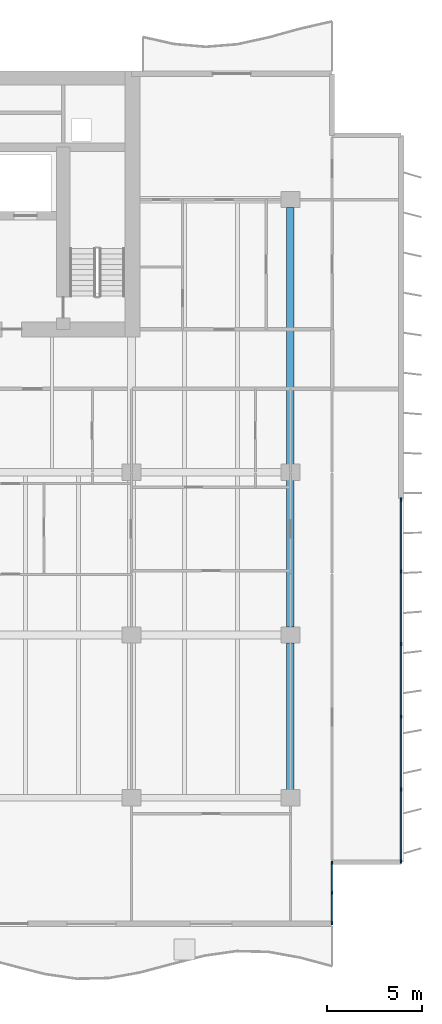
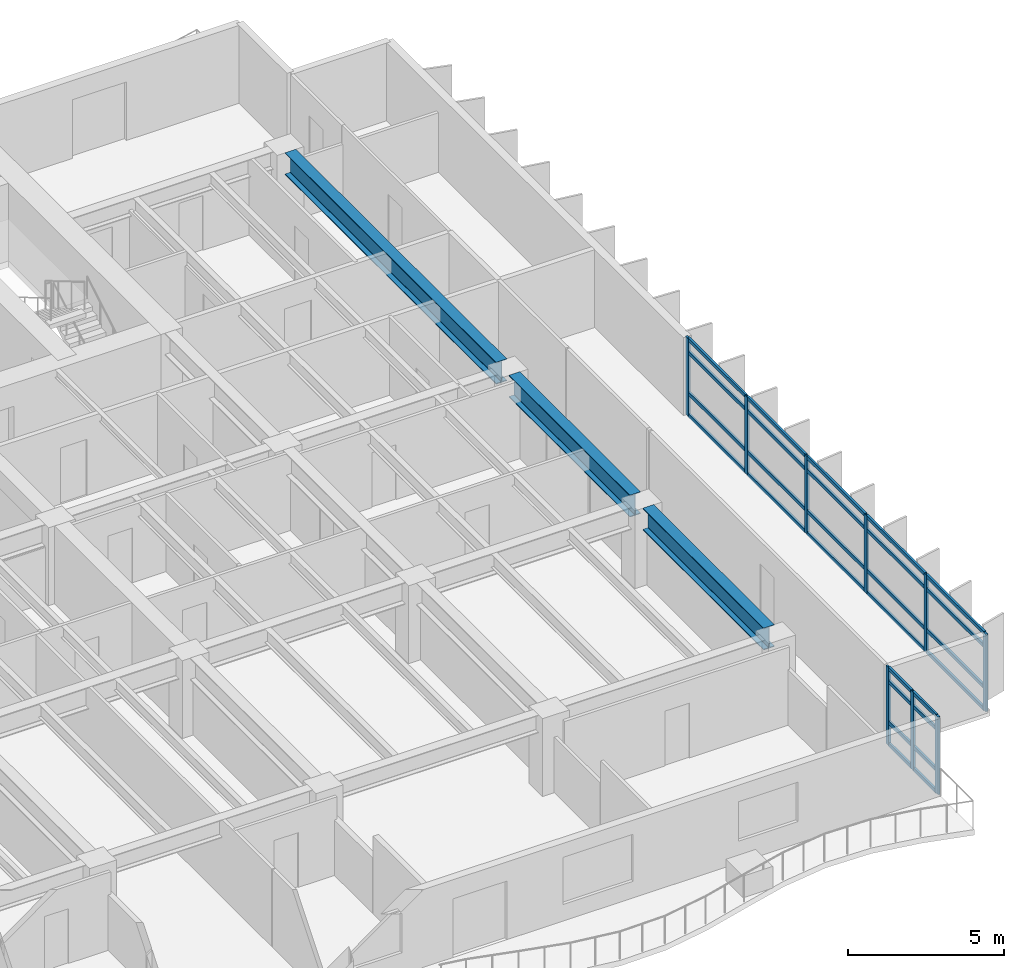
# One storey, part 4 of 19: 37 members, 3 beams, 2 elements without a shape of their own.
"""IFC4 building model written with IfcOpenShell, lengths in metres."""

import ifcopenshell
import ifcopenshell.guid

model = None  # the IFC model being written
_history = None  # IfcOwnerHistory: only IFC2X3 demands one
_inside = {}  # id of a spatial element -> (the spatial element, [elements in it])
_under = {}  # id of a project, library or spatial element -> (it, [spatial elements below it])
_declared = {}  # id of a project -> (the project, [libraries it declares])
_typed = {}  # id of a type object -> (the type object, [elements of that type])
_made_of = {}  # id of a material, layer set ... -> (it, [elements and type objects made of it])


def new_model(schema):
    """Start an empty IFC model of exactly this schema.

    Asked for "IFC4X3", IfcOpenShell would pick the latest addendum, in which some entities
    have other attributes; the version numbers below select the first issue.
    IFC2X3 requires an IfcOwnerHistory on every rooted entity: one is made here for all.
    """
    global model, _history
    if schema == "IFC4X3":
        model = ifcopenshell.file(schema_version=(4, 3, 0, 0))
    else:
        model = ifcopenshell.file(schema=schema)
    _inside.clear()
    _under.clear()
    _declared.clear()
    _typed.clear()
    _made_of.clear()
    _history = None
    if model.schema == "IFC2X3":
        org = make("IfcOrganization", Name="unknown")
        user = make(
            "IfcPersonAndOrganization",
            ThePerson=make("IfcPerson", FamilyName="unknown"),
            TheOrganization=org,
        )
        app = make(
            "IfcApplication",
            ApplicationDeveloper=org,
            Version="unknown",
            ApplicationFullName="unknown",
            ApplicationIdentifier="unknown",
        )
        _history = make(
            "IfcOwnerHistory",
            OwningUser=user,
            OwningApplication=app,
            ChangeAction="ADDED",
            CreationDate=0,
        )
    return model


def make(cls, **values):
    """One entity of the class cls with the attributes given. An attribute that is None is left unset."""
    return model.create_entity(
        cls, **{name: value for name, value in values.items() if value is not None}
    )


def rooted(cls, **values):
    """An entity with a GlobalId (a new one), such as an element, a storey or a relation."""
    return make(cls, GlobalId=ifcopenshell.guid.new(), OwnerHistory=_history, **values)


def si_unit(unit_type, name, prefix=None):
    """IfcSIUnit, for example si_unit("LENGTHUNIT", "METRE", prefix="MILLI")."""
    return make("IfcSIUnit", UnitType=unit_type, Prefix=prefix, Name=name)


def assignment(units):
    """IfcUnitAssignment: the units of a project."""
    return None if units is None else make("IfcUnitAssignment", Units=units)


def point(xyz):
    """IfcCartesianPoint."""
    return None if xyz is None else make("IfcCartesianPoint", Coordinates=xyz)


def direction(xyz):
    """IfcDirection."""
    return None if xyz is None else make("IfcDirection", DirectionRatios=xyz)


def frame(location, z_axis=None, x_axis=None):
    """IfcAxis2Placement3D, a coordinate frame: its origin and axes. An axis left out is left unset."""
    return make(
        "IfcAxis2Placement3D",
        Location=point(location),
        Axis=direction(z_axis),
        RefDirection=direction(x_axis),
    )


def frame_2d(location, x_axis=None):
    """IfcAxis2Placement2D, a coordinate frame in the plane: its origin and x axis."""
    return make(
        "IfcAxis2Placement2D", Location=point(location), RefDirection=direction(x_axis)
    )


def origin():
    """The frame at (0, 0, 0) with its axes left unset."""
    return frame((0.0, 0.0, 0.0))


def origin_2d():
    """The frame at (0, 0) in the plane with its x axis left unset."""
    return frame_2d((0.0, 0.0))


def place(relative_to, where):
    """IfcLocalPlacement: puts the frame where relative to a parent placement (None: the world)."""
    return make(
        "IfcLocalPlacement", PlacementRelTo=relative_to, RelativePlacement=where
    )


def context(
    kind, dimensions, precision=None, world=None, true_north=None, identifier=None
):
    """IfcGeometricRepresentationContext, for example the 3D "Model" context."""
    return make(
        "IfcGeometricRepresentationContext",
        ContextIdentifier=identifier,
        ContextType=kind,
        CoordinateSpaceDimension=dimensions,
        Precision=precision,
        WorldCoordinateSystem=world,
        TrueNorth=true_north,
    )


def subcontext(parent, identifier, kind, view, scale=None):
    """IfcGeometricRepresentationSubContext, for example "Body" below "Model"."""
    return make(
        "IfcGeometricRepresentationSubContext",
        ContextIdentifier=identifier,
        ContextType=kind,
        ParentContext=parent,
        TargetScale=scale,
        TargetView=view,
    )


def project(units=None, contexts=None):
    """IfcProject with its units and contexts."""
    return rooted(
        "IfcProject",
        Name="project",
        RepresentationContexts=contexts,
        UnitsInContext=assignment(units),
    )


def spatial(cls, under=None, at=None, **own):
    """A site, building, storey or space (cls), placed at a placement, below another one or the project."""
    s = rooted(cls, ObjectPlacement=at, **own)
    if under is not None:
        _under.setdefault(under.id(), (under, []))[1].append(s)
    return s


def profile(cls, at=None, kind="AREA", **sizes):
    """A parametric profile (cls). Its sizes go by their IFC names, for example OverallWidth=200.0."""
    return make(cls, ProfileType=kind, Position=at, **sizes)


def rectangle(**sizes):
    """IfcRectangleProfileDef."""
    return profile("IfcRectangleProfileDef", **sizes)


def i_section(**sizes):
    """IfcIShapeProfileDef."""
    return profile("IfcIShapeProfileDef", **sizes)


def extrude(swept, where, along, depth):
    """IfcExtrudedAreaSolid: the profile swept, set in the frame where, extruded along a direction by depth."""
    return make(
        "IfcExtrudedAreaSolid",
        SweptArea=swept,
        Position=where,
        ExtrudedDirection=direction(along),
        Depth=depth,
    )


def shape(context_of_items, identifier, shape_type, items):
    """IfcShapeRepresentation: the items that make up one representation, for example the "Body"."""
    return make(
        "IfcShapeRepresentation",
        ContextOfItems=context_of_items,
        RepresentationIdentifier=identifier,
        RepresentationType=shape_type,
        Items=items,
    )


def material(Name=None, Category=None):
    """IfcMaterial."""
    return make("IfcMaterial", Name=Name, Category=Category)


def layer(
    of_material, thickness, ventilated=None, Name=None, Category=None, Priority=None
):
    """IfcMaterialLayer: one layer of a wall or slab, of a material (None: an air gap)."""
    return make(
        "IfcMaterialLayer",
        Material=of_material,
        LayerThickness=thickness,
        IsVentilated=ventilated,
        Name=Name,
        Category=Category,
        Priority=Priority,
    )


def layer_set(layers, Name=None):
    """IfcMaterialLayerSet."""
    return make("IfcMaterialLayerSet", MaterialLayers=layers, LayerSetName=Name)


def material_profile(
    of_material, cross_section, Name=None, Category=None, Priority=None
):
    """IfcMaterialProfile: a cross section and its material."""
    return make(
        "IfcMaterialProfile",
        Name=Name,
        Material=of_material,
        Profile=cross_section,
        Priority=Priority,
        Category=Category,
    )


def profile_set(profiles, Name=None, composite=None):
    """IfcMaterialProfileSet."""
    return make(
        "IfcMaterialProfileSet",
        Name=Name,
        MaterialProfiles=profiles,
        CompositeProfile=composite,
    )


def made_of(thing, what):
    """Note that an element or type object is made of a material, layer set ...; save() writes the relation."""
    if what is not None:
        _made_of.setdefault(what.id(), (what, []))[1].append(thing)
    return thing


def type_object(cls, material=None, **own):
    """A type object (cls), such as IfcWallType, which elements share."""
    return made_of(rooted(cls, **own), material)


def element(
    cls,
    number,
    at=None,
    inside=None,
    cuts=None,
    type_object=None,
    material=None,
    context=None,
    identifier="Body",
    shape_type=None,
    held_by="IfcProductDefinitionShape",
    body=None,
    shapes=None,
    **own,
):
    """One element of the class cls, such as IfcWall. Its Tag is "e" and its number.

    at: its placement. inside: the storey or other place that contains it. cuts: it is an
    opening in that element (IfcRelVoidsElement). A single representation is given by context,
    identifier, shape_type and body (its items); several are given by shapes. held_by: the class
    of the entity that holds the representations. save() writes the other relations.
    """
    e = rooted(cls, Tag="e%d" % number, ObjectPlacement=at, **own)
    if body is not None:
        shapes = [shape(context, identifier, shape_type, body)]
    if shapes is not None:
        e.Representation = make(held_by, Representations=shapes)
    if inside is not None:
        _inside.setdefault(inside.id(), (inside, []))[1].append(e)
    if cuts is not None:
        rooted(
            "IfcRelVoidsElement", RelatingBuildingElement=cuts, RelatedOpeningElement=e
        )
    if type_object is not None:
        _typed.setdefault(type_object.id(), (type_object, []))[1].append(e)
    return made_of(e, material)


def aggregate(whole, parts):
    """IfcRelAggregates: a whole, such as a stair, and the parts it consists of."""
    return rooted("IfcRelAggregates", RelatingObject=whole, RelatedObjects=parts)


def save(model, path):
    """Write the relations noted so far, then the file.

    IfcRelAggregates (storeys below a building ...), IfcRelContainedInSpatialStructure (elements
    in a storey), IfcRelDefinesByType, IfcRelAssociatesMaterial and IfcRelDeclares: one each for
    every whole, place, type object, material and project.
    """
    for whole, parts in _under.values():
        aggregate(whole, parts)
    for where, things in _inside.values():
        rooted(
            "IfcRelContainedInSpatialStructure",
            RelatedElements=things,
            RelatingStructure=where,
        )
    for kind, things in _typed.values():
        rooted("IfcRelDefinesByType", RelatedObjects=things, RelatingType=kind)
    for what, things in _made_of.values():
        rooted("IfcRelAssociatesMaterial", RelatedObjects=things, RelatingMaterial=what)
    for by, libraries in _declared.values():
        rooted("IfcRelDeclares", RelatingContext=by, RelatedDefinitions=libraries)
    model.write(path)


model = new_model("IFC4")

# Units and contexts
model_context = context("Model", 3, precision=1e-05, world=origin(), true_north=direction((0.0, 1.0)))
body_context = subcontext(model_context, "Body", "Model", "MODEL_VIEW")
ifc_project = project(units=[si_unit("LENGTHUNIT", "METRE"), si_unit("AREAUNIT", "SQUARE_METRE"), si_unit("VOLUMEUNIT", "CUBIC_METRE"), si_unit("PLANEANGLEUNIT", "RADIAN"), si_unit("MASSUNIT", "GRAM", prefix="KILO")], contexts=[model_context])

# Site, building, storey
site_placement = place(None, origin())
site = spatial("IfcSite", under=ifc_project, at=site_placement, CompositionType="ELEMENT")
building_placement = place(site_placement, origin())
building = spatial("IfcBuilding", under=site, at=building_placement, Name="Caelmar Bay Residences", CompositionType="ELEMENT")
storey_placement = place(building_placement, frame((0.0, 0.0, 91.199951171875)))
storey = spatial("IfcBuildingStorey", under=building, at=storey_placement, Name="L24", CompositionType="ELEMENT", Elevation=91.199951171875)

# Beams
ifc_material_1 = material(Name="Steel ASTM A992 Grade 50", Category="steel")
ifc_material_profile_1 = material_profile(ifc_material_1, i_section(OverallWidth=0.40087890625, OverallDepth=0.861083984375, WebThickness=0.019775390625, FlangeThickness=0.032470703125, FilletRadius=0.017822265625, at=origin_2d()), Name="W33X221")
ifc_profile_set_1 = profile_set([ifc_material_profile_1], Name="Steel ASTM A992 Grade 50")
beam_type = type_object("IfcBeamType", Name="BM-GRD-W33X221", PredefinedType="BEAM", material=ifc_profile_set_1)
for number, where, z_axis, x_axis, name in (
    (1, (67.89990234375, 12.614990234375, 2.61962890625), (0.0, 1.0, 0.0), (-1.0, 0.0, 0.0), "L24 North-South Girder X=67.90 (12.2-20.8)"),
    (2, (67.89990234375, 21.215087890625, 2.61962890625), (0.0, 1.0, 0.0), (-1.0, 0.0, 0.0), "L24 North-South Girder X=67.90 (20.8-29.4)"),
):
    element("IfcBeam", number, at=place(storey_placement, frame(where, z_axis=z_axis, x_axis=x_axis)), inside=storey, type_object=beam_type, Name=name, PredefinedType="BEAM", context=body_context, shape_type="SweptSolid", body=[
        extrude(i_section(OverallWidth=0.40087890625, OverallDepth=0.861083984375, WebThickness=0.019775390625, FlangeThickness=0.032470703125, FilletRadius=0.017822265625, at=origin_2d()), origin(), (0.0, 0.0, 1.0), 7.77001953125),
    ])
beam_placement = place(storey_placement, frame((67.89990234375, 29.81494140625, 2.61962890625), z_axis=(0.0, 1.0, 0.0), x_axis=(-1.0, 0.0, 0.0)))
element("IfcBeam", 3, at=beam_placement, inside=storey, type_object=beam_type, Name="L24 North-South Girder X=67.90 (29.4-43.8)", PredefinedType="BEAM", context=body_context, shape_type="SweptSolid", body=[
    extrude(i_section(OverallWidth=0.40087890625, OverallDepth=0.861083984375, WebThickness=0.019775390625, FlangeThickness=0.032470703125, FilletRadius=0.017822265625, at=origin_2d()), origin(), (0.0, 0.0, 1.0), 13.570068359375),
])

# Curtain wall, members
ifc_material_2 = material(Name="Anodised bronze aluminium 6063-T6 and laminated glass", Category="aluminium")
ifc_layer_1 = layer(ifc_material_2, 0.179931640625)
ifc_layer_set_1 = layer_set([ifc_layer_1], Name="Anodised bronze aluminium 6063-T6 and laminated glass")
curtain_wall_type_1 = type_object("IfcCurtainWallType", Name="CW6-NTC", PredefinedType="NOTDEFINED", material=ifc_layer_set_1)
curtain_wall_1_placement = place(storey_placement, origin())
curtain_wall_1 = element("IfcCurtainWall", 4, at=curtain_wall_1_placement, inside=storey, type_object=curtain_wall_type_1, Name="CW6 curtain wall L24", PredefinedType="NOTDEFINED")
ifc_material_3 = material(Name="Anodised bronze aluminium 6063-T6", Category="aluminium")
ifc_material_profile_2 = material_profile(ifc_material_3, rectangle(XDim=0.080078125, YDim=0.179931640625, at=origin_2d()), Name="CWM-80X180")
ifc_profile_set_2 = profile_set([ifc_material_profile_2], Name="Anodised bronze aluminium 6063-T6")
member_type_1 = type_object("IfcMemberType", Name="CWM-180", PredefinedType="MULLION", material=ifc_profile_set_2)
member_1_placement = place(storey_placement, frame((70.10009765625, 5.590087890625, 0.0), z_axis=(0.0, 0.0, 1.0), x_axis=(-1.0, 0.0, 0.0)))
member_1 = element("IfcMember", 5, at=member_1_placement, type_object=member_type_1, Name="CW6 mullion 1", PredefinedType="MULLION", context=body_context, shape_type="SweptSolid", body=[
    extrude(rectangle(XDim=0.080078125, YDim=0.179931640625, at=origin_2d()), origin(), (0.0, 0.0, 1.0), 3.050048828125),
])
member_2_placement = place(storey_placement, frame((70.10009765625, 7.175048828125, 0.0), z_axis=(0.0, 0.0, 1.0), x_axis=(-1.0, 0.0, 0.0)))
member_2 = element("IfcMember", 6, at=member_2_placement, type_object=member_type_1, Name="CW6 mullion 2", PredefinedType="MULLION", context=body_context, shape_type="SweptSolid", body=[
    extrude(rectangle(XDim=0.080078125, YDim=0.179931640625, at=origin_2d()), origin(), (0.0, 0.0, 1.0), 3.050048828125),
])
member_3_placement = place(storey_placement, frame((70.10009765625, 8.760009765625, 0.0), z_axis=(0.0, 0.0, 1.0), x_axis=(-1.0, 0.0, 0.0)))
member_3 = element("IfcMember", 7, at=member_3_placement, type_object=member_type_1, Name="CW6 mullion 3", PredefinedType="MULLION", context=body_context, shape_type="SweptSolid", body=[
    extrude(rectangle(XDim=0.080078125, YDim=0.179931640625, at=origin_2d()), origin(), (0.0, 0.0, 1.0), 3.050048828125),
])

ifc_layer_2 = layer(ifc_material_2, 0.179931640625)
ifc_layer_set_2 = layer_set([ifc_layer_2], Name="Anodised bronze aluminium 6063-T6 and laminated glass")
curtain_wall_type_2 = type_object("IfcCurtainWallType", Name="CW3-Z2", PredefinedType="NOTDEFINED", material=ifc_layer_set_2)
curtain_wall_2_placement = place(storey_placement, origin())
curtain_wall_2 = element("IfcCurtainWall", 8, at=curtain_wall_2_placement, inside=storey, type_object=curtain_wall_type_2, Name="CW3 curtain wall L24", PredefinedType="NOTDEFINED")
member_4_placement = place(storey_placement, frame((73.75, 27.9599609375, 0.0), z_axis=(0.0, 0.0, 1.0), x_axis=(1.0, 0.0, 0.0)))
member_4 = element("IfcMember", 9, at=member_4_placement, type_object=member_type_1, Name="CW3 mullion 1", PredefinedType="MULLION", context=body_context, shape_type="SweptSolid", body=[
    extrude(rectangle(XDim=0.080078125, YDim=0.179931640625, at=origin_2d()), origin(), (0.0, 0.0, 1.0), 3.050048828125),
])
member_5_placement = place(storey_placement, frame((73.75, 24.159912109375, 0.0), z_axis=(0.0, 0.0, 1.0), x_axis=(1.0, 0.0, 0.0)))
member_5 = element("IfcMember", 10, at=member_5_placement, type_object=member_type_1, Name="CW3 mullion 2", PredefinedType="MULLION", context=body_context, shape_type="SweptSolid", body=[
    extrude(rectangle(XDim=0.080078125, YDim=0.179931640625, at=origin_2d()), origin(), (0.0, 0.0, 1.0), 3.050048828125),
])
member_6_placement = place(storey_placement, frame((73.75, 20.320068359375, 0.0), z_axis=(0.0, 0.0, 1.0), x_axis=(1.0, 0.0, 0.0)))
member_6 = element("IfcMember", 11, at=member_6_placement, type_object=member_type_1, Name="CW3 mullion 3", PredefinedType="MULLION", context=body_context, shape_type="SweptSolid", body=[
    extrude(rectangle(XDim=0.080078125, YDim=0.179931640625, at=origin_2d()), origin(), (0.0, 0.0, 1.0), 3.050048828125),
])
member_7_placement = place(storey_placement, frame((73.75, 16.47998046875, 0.0), z_axis=(0.0, 0.0, 1.0), x_axis=(1.0, 0.0, 0.0)))
member_7 = element("IfcMember", 12, at=member_7_placement, type_object=member_type_1, Name="CW3 mullion 4", PredefinedType="MULLION", context=body_context, shape_type="SweptSolid", body=[
    extrude(rectangle(XDim=0.080078125, YDim=0.179931640625, at=origin_2d()), origin(), (0.0, 0.0, 1.0), 3.050048828125),
])
member_8_placement = place(storey_placement, frame((73.75, 12.639892578125, 0.0), z_axis=(0.0, 0.0, 1.0), x_axis=(1.0, 0.0, 0.0)))
member_8 = element("IfcMember", 13, at=member_8_placement, type_object=member_type_1, Name="CW3 mullion 5", PredefinedType="MULLION", context=body_context, shape_type="SweptSolid", body=[
    extrude(rectangle(XDim=0.080078125, YDim=0.179931640625, at=origin_2d()), origin(), (0.0, 0.0, 1.0), 3.050048828125),
])
member_9_placement = place(storey_placement, frame((73.75, 8.840087890625, 0.0), z_axis=(0.0, 0.0, 1.0), x_axis=(1.0, 0.0, 0.0)))
member_9 = element("IfcMember", 14, at=member_9_placement, type_object=member_type_1, Name="CW3 mullion 6", PredefinedType="MULLION", context=body_context, shape_type="SweptSolid", body=[
    extrude(rectangle(XDim=0.080078125, YDim=0.179931640625, at=origin_2d()), origin(), (0.0, 0.0, 1.0), 3.050048828125),
])

# Member
ifc_material_profile_3 = material_profile(ifc_material_3, rectangle(XDim=0.080078125, YDim=0.139892578125, at=origin_2d()), Name="CWT-80X140")
ifc_profile_set_3 = profile_set([ifc_material_profile_3], Name="Anodised bronze aluminium 6063-T6")
member_type_2 = type_object("IfcMemberType", Name="CWT-140", PredefinedType="NOTDEFINED", material=ifc_profile_set_3)
member_10_placement = place(storey_placement, frame((70.10009765625, 5.6298828125, 0.0400390625), z_axis=(0.0, 1.0, 0.0), x_axis=(-1.0, 0.0, 0.0)))
member_10 = element("IfcMember", 15, at=member_10_placement, type_object=member_type_2, Name="CW6 transom 1.1", ObjectType="TRANSOM", PredefinedType="USERDEFINED", context=body_context, shape_type="SweptSolid", body=[
    extrude(rectangle(XDim=0.080078125, YDim=0.139892578125, at=origin_2d()), origin(), (0.0, 0.0, 1.0), 1.505126953125),
])

member_11_placement = place(storey_placement, frame((70.10009765625, 5.6298828125, 0.900146484375), z_axis=(0.0, 1.0, 0.0), x_axis=(-1.0, 0.0, 0.0)))
member_11 = element("IfcMember", 16, at=member_11_placement, type_object=member_type_2, Name="CW6 transom 1.2", ObjectType="TRANSOM", PredefinedType="USERDEFINED", context=body_context, shape_type="SweptSolid", body=[
    extrude(rectangle(XDim=0.080078125, YDim=0.139892578125, at=origin_2d()), origin(), (0.0, 0.0, 1.0), 1.505126953125),
])

member_12_placement = place(storey_placement, frame((70.10009765625, 5.6298828125, 2.5), z_axis=(0.0, 1.0, 0.0), x_axis=(-1.0, 0.0, 0.0)))
member_12 = element("IfcMember", 17, at=member_12_placement, type_object=member_type_2, Name="CW6 transom 1.3", ObjectType="TRANSOM", PredefinedType="USERDEFINED", context=body_context, shape_type="SweptSolid", body=[
    extrude(rectangle(XDim=0.080078125, YDim=0.139892578125, at=origin_2d()), origin(), (0.0, 0.0, 1.0), 1.505126953125),
])

member_13_placement = place(storey_placement, frame((70.10009765625, 5.6298828125, 3.010009765625), z_axis=(0.0, 1.0, 0.0), x_axis=(-1.0, 0.0, 0.0)))
member_13 = element("IfcMember", 18, at=member_13_placement, type_object=member_type_2, Name="CW6 transom 1.4", ObjectType="TRANSOM", PredefinedType="USERDEFINED", context=body_context, shape_type="SweptSolid", body=[
    extrude(rectangle(XDim=0.080078125, YDim=0.139892578125, at=origin_2d()), origin(), (0.0, 0.0, 1.0), 1.505126953125),
])

member_14_placement = place(storey_placement, frame((70.10009765625, 7.215087890625, 0.0400390625), z_axis=(0.0, 1.0, 0.0), x_axis=(-1.0, 0.0, 0.0)))
member_14 = element("IfcMember", 19, at=member_14_placement, type_object=member_type_2, Name="CW6 transom 2.1", ObjectType="TRANSOM", PredefinedType="USERDEFINED", context=body_context, shape_type="SweptSolid", body=[
    extrude(rectangle(XDim=0.080078125, YDim=0.139892578125, at=origin_2d()), origin(), (0.0, 0.0, 1.0), 1.5048828125),
])

member_15_placement = place(storey_placement, frame((70.10009765625, 7.215087890625, 0.900146484375), z_axis=(0.0, 1.0, 0.0), x_axis=(-1.0, 0.0, 0.0)))
member_15 = element("IfcMember", 20, at=member_15_placement, type_object=member_type_2, Name="CW6 transom 2.2", ObjectType="TRANSOM", PredefinedType="USERDEFINED", context=body_context, shape_type="SweptSolid", body=[
    extrude(rectangle(XDim=0.080078125, YDim=0.139892578125, at=origin_2d()), origin(), (0.0, 0.0, 1.0), 1.5048828125),
])

member_16_placement = place(storey_placement, frame((70.10009765625, 7.215087890625, 2.5), z_axis=(0.0, 1.0, 0.0), x_axis=(-1.0, 0.0, 0.0)))
member_16 = element("IfcMember", 21, at=member_16_placement, type_object=member_type_2, Name="CW6 transom 2.3", ObjectType="TRANSOM", PredefinedType="USERDEFINED", context=body_context, shape_type="SweptSolid", body=[
    extrude(rectangle(XDim=0.080078125, YDim=0.139892578125, at=origin_2d()), origin(), (0.0, 0.0, 1.0), 1.5048828125),
])

member_17_placement = place(storey_placement, frame((70.10009765625, 7.215087890625, 3.010009765625), z_axis=(0.0, 1.0, 0.0), x_axis=(-1.0, 0.0, 0.0)))
member_17 = element("IfcMember", 22, at=member_17_placement, type_object=member_type_2, Name="CW6 transom 2.4", ObjectType="TRANSOM", PredefinedType="USERDEFINED", context=body_context, shape_type="SweptSolid", body=[
    extrude(rectangle(XDim=0.080078125, YDim=0.139892578125, at=origin_2d()), origin(), (0.0, 0.0, 1.0), 1.5048828125),
])

aggregate(curtain_wall_1, [member_1, member_2, member_3, member_10, member_11, member_12, member_13, member_14, member_15, member_16, member_17])

member_18_placement = place(storey_placement, frame((73.75, 27.919921875, 0.0400390625), z_axis=(0.0, -1.0, 0.0), x_axis=(1.0, 0.0, 0.0)))
member_18 = element("IfcMember", 23, at=member_18_placement, type_object=member_type_2, Name="CW3 transom 1.1", ObjectType="TRANSOM", PredefinedType="USERDEFINED", context=body_context, shape_type="SweptSolid", body=[
    extrude(rectangle(XDim=0.080078125, YDim=0.139892578125, at=origin_2d()), origin(), (0.0, 0.0, 1.0), 3.719970703125),
])

member_19_placement = place(storey_placement, frame((73.75, 27.919921875, 0.900146484375), z_axis=(0.0, -1.0, 0.0), x_axis=(1.0, 0.0, 0.0)))
member_19 = element("IfcMember", 24, at=member_19_placement, type_object=member_type_2, Name="CW3 transom 1.2", ObjectType="TRANSOM", PredefinedType="USERDEFINED", context=body_context, shape_type="SweptSolid", body=[
    extrude(rectangle(XDim=0.080078125, YDim=0.139892578125, at=origin_2d()), origin(), (0.0, 0.0, 1.0), 3.719970703125),
])

member_20_placement = place(storey_placement, frame((73.75, 27.919921875, 2.5), z_axis=(0.0, -1.0, 0.0), x_axis=(1.0, 0.0, 0.0)))
member_20 = element("IfcMember", 25, at=member_20_placement, type_object=member_type_2, Name="CW3 transom 1.3", ObjectType="TRANSOM", PredefinedType="USERDEFINED", context=body_context, shape_type="SweptSolid", body=[
    extrude(rectangle(XDim=0.080078125, YDim=0.139892578125, at=origin_2d()), origin(), (0.0, 0.0, 1.0), 3.719970703125),
])

member_21_placement = place(storey_placement, frame((73.75, 27.919921875, 3.010009765625), z_axis=(0.0, -1.0, 0.0), x_axis=(1.0, 0.0, 0.0)))
member_21 = element("IfcMember", 26, at=member_21_placement, type_object=member_type_2, Name="CW3 transom 1.4", ObjectType="TRANSOM", PredefinedType="USERDEFINED", context=body_context, shape_type="SweptSolid", body=[
    extrude(rectangle(XDim=0.080078125, YDim=0.139892578125, at=origin_2d()), origin(), (0.0, 0.0, 1.0), 3.719970703125),
])

member_22_placement = place(storey_placement, frame((73.75, 24.1201171875, 0.0400390625), z_axis=(0.0, -1.0, 0.0), x_axis=(1.0, 0.0, 0.0)))
member_22 = element("IfcMember", 27, at=member_22_placement, type_object=member_type_2, Name="CW3 transom 2.1", ObjectType="TRANSOM", PredefinedType="USERDEFINED", context=body_context, shape_type="SweptSolid", body=[
    extrude(rectangle(XDim=0.080078125, YDim=0.139892578125, at=origin_2d()), origin(), (0.0, 0.0, 1.0), 3.760009765625),
])

member_23_placement = place(storey_placement, frame((73.75, 24.1201171875, 0.900146484375), z_axis=(0.0, -1.0, 0.0), x_axis=(1.0, 0.0, 0.0)))
member_23 = element("IfcMember", 28, at=member_23_placement, type_object=member_type_2, Name="CW3 transom 2.2", ObjectType="TRANSOM", PredefinedType="USERDEFINED", context=body_context, shape_type="SweptSolid", body=[
    extrude(rectangle(XDim=0.080078125, YDim=0.139892578125, at=origin_2d()), origin(), (0.0, 0.0, 1.0), 3.760009765625),
])

member_24_placement = place(storey_placement, frame((73.75, 24.1201171875, 2.5), z_axis=(0.0, -1.0, 0.0), x_axis=(1.0, 0.0, 0.0)))
member_24 = element("IfcMember", 29, at=member_24_placement, type_object=member_type_2, Name="CW3 transom 2.3", ObjectType="TRANSOM", PredefinedType="USERDEFINED", context=body_context, shape_type="SweptSolid", body=[
    extrude(rectangle(XDim=0.080078125, YDim=0.139892578125, at=origin_2d()), origin(), (0.0, 0.0, 1.0), 3.760009765625),
])

member_25_placement = place(storey_placement, frame((73.75, 24.1201171875, 3.010009765625), z_axis=(0.0, -1.0, 0.0), x_axis=(1.0, 0.0, 0.0)))
member_25 = element("IfcMember", 30, at=member_25_placement, type_object=member_type_2, Name="CW3 transom 2.4", ObjectType="TRANSOM", PredefinedType="USERDEFINED", context=body_context, shape_type="SweptSolid", body=[
    extrude(rectangle(XDim=0.080078125, YDim=0.139892578125, at=origin_2d()), origin(), (0.0, 0.0, 1.0), 3.760009765625),
])

member_26_placement = place(storey_placement, frame((73.75, 20.280029296875, 0.0400390625), z_axis=(0.0, -1.0, 0.0), x_axis=(1.0, 0.0, 0.0)))
member_26 = element("IfcMember", 31, at=member_26_placement, type_object=member_type_2, Name="CW3 transom 3.1", ObjectType="TRANSOM", PredefinedType="USERDEFINED", context=body_context, shape_type="SweptSolid", body=[
    extrude(rectangle(XDim=0.080078125, YDim=0.139892578125, at=origin_2d()), origin(), (0.0, 0.0, 1.0), 3.760009765625),
])

member_27_placement = place(storey_placement, frame((73.75, 20.280029296875, 0.900146484375), z_axis=(0.0, -1.0, 0.0), x_axis=(1.0, 0.0, 0.0)))
member_27 = element("IfcMember", 32, at=member_27_placement, type_object=member_type_2, Name="CW3 transom 3.2", ObjectType="TRANSOM", PredefinedType="USERDEFINED", context=body_context, shape_type="SweptSolid", body=[
    extrude(rectangle(XDim=0.080078125, YDim=0.139892578125, at=origin_2d()), origin(), (0.0, 0.0, 1.0), 3.760009765625),
])

member_28_placement = place(storey_placement, frame((73.75, 20.280029296875, 2.5), z_axis=(0.0, -1.0, 0.0), x_axis=(1.0, 0.0, 0.0)))
member_28 = element("IfcMember", 33, at=member_28_placement, type_object=member_type_2, Name="CW3 transom 3.3", ObjectType="TRANSOM", PredefinedType="USERDEFINED", context=body_context, shape_type="SweptSolid", body=[
    extrude(rectangle(XDim=0.080078125, YDim=0.139892578125, at=origin_2d()), origin(), (0.0, 0.0, 1.0), 3.760009765625),
])

member_29_placement = place(storey_placement, frame((73.75, 20.280029296875, 3.010009765625), z_axis=(0.0, -1.0, 0.0), x_axis=(1.0, 0.0, 0.0)))
member_29 = element("IfcMember", 34, at=member_29_placement, type_object=member_type_2, Name="CW3 transom 3.4", ObjectType="TRANSOM", PredefinedType="USERDEFINED", context=body_context, shape_type="SweptSolid", body=[
    extrude(rectangle(XDim=0.080078125, YDim=0.139892578125, at=origin_2d()), origin(), (0.0, 0.0, 1.0), 3.760009765625),
])

member_30_placement = place(storey_placement, frame((73.75, 16.43994140625, 0.0400390625), z_axis=(0.0, -1.0, 0.0), x_axis=(1.0, 0.0, 0.0)))
member_30 = element("IfcMember", 35, at=member_30_placement, type_object=member_type_2, Name="CW3 transom 4.1", ObjectType="TRANSOM", PredefinedType="USERDEFINED", context=body_context, shape_type="SweptSolid", body=[
    extrude(rectangle(XDim=0.080078125, YDim=0.139892578125, at=origin_2d()), origin(), (0.0, 0.0, 1.0), 3.760009765625),
])

member_31_placement = place(storey_placement, frame((73.75, 16.43994140625, 0.900146484375), z_axis=(0.0, -1.0, 0.0), x_axis=(1.0, 0.0, 0.0)))
member_31 = element("IfcMember", 36, at=member_31_placement, type_object=member_type_2, Name="CW3 transom 4.2", ObjectType="TRANSOM", PredefinedType="USERDEFINED", context=body_context, shape_type="SweptSolid", body=[
    extrude(rectangle(XDim=0.080078125, YDim=0.139892578125, at=origin_2d()), origin(), (0.0, 0.0, 1.0), 3.760009765625),
])

member_32_placement = place(storey_placement, frame((73.75, 16.43994140625, 2.5), z_axis=(0.0, -1.0, 0.0), x_axis=(1.0, 0.0, 0.0)))
member_32 = element("IfcMember", 37, at=member_32_placement, type_object=member_type_2, Name="CW3 transom 4.3", ObjectType="TRANSOM", PredefinedType="USERDEFINED", context=body_context, shape_type="SweptSolid", body=[
    extrude(rectangle(XDim=0.080078125, YDim=0.139892578125, at=origin_2d()), origin(), (0.0, 0.0, 1.0), 3.760009765625),
])

member_33_placement = place(storey_placement, frame((73.75, 16.43994140625, 3.010009765625), z_axis=(0.0, -1.0, 0.0), x_axis=(1.0, 0.0, 0.0)))
member_33 = element("IfcMember", 38, at=member_33_placement, type_object=member_type_2, Name="CW3 transom 4.4", ObjectType="TRANSOM", PredefinedType="USERDEFINED", context=body_context, shape_type="SweptSolid", body=[
    extrude(rectangle(XDim=0.080078125, YDim=0.139892578125, at=origin_2d()), origin(), (0.0, 0.0, 1.0), 3.760009765625),
])

member_34_placement = place(storey_placement, frame((73.75, 12.60009765625, 0.0400390625), z_axis=(0.0, -1.0, 0.0), x_axis=(1.0, 0.0, 0.0)))
member_34 = element("IfcMember", 39, at=member_34_placement, type_object=member_type_2, Name="CW3 transom 5.1", ObjectType="TRANSOM", PredefinedType="USERDEFINED", context=body_context, shape_type="SweptSolid", body=[
    extrude(rectangle(XDim=0.080078125, YDim=0.139892578125, at=origin_2d()), origin(), (0.0, 0.0, 1.0), 3.72021484375),
])

member_35_placement = place(storey_placement, frame((73.75, 12.60009765625, 0.900146484375), z_axis=(0.0, -1.0, 0.0), x_axis=(1.0, 0.0, 0.0)))
member_35 = element("IfcMember", 40, at=member_35_placement, type_object=member_type_2, Name="CW3 transom 5.2", ObjectType="TRANSOM", PredefinedType="USERDEFINED", context=body_context, shape_type="SweptSolid", body=[
    extrude(rectangle(XDim=0.080078125, YDim=0.139892578125, at=origin_2d()), origin(), (0.0, 0.0, 1.0), 3.72021484375),
])

member_36_placement = place(storey_placement, frame((73.75, 12.60009765625, 2.5), z_axis=(0.0, -1.0, 0.0), x_axis=(1.0, 0.0, 0.0)))
member_36 = element("IfcMember", 41, at=member_36_placement, type_object=member_type_2, Name="CW3 transom 5.3", ObjectType="TRANSOM", PredefinedType="USERDEFINED", context=body_context, shape_type="SweptSolid", body=[
    extrude(rectangle(XDim=0.080078125, YDim=0.139892578125, at=origin_2d()), origin(), (0.0, 0.0, 1.0), 3.72021484375),
])

member_37_placement = place(storey_placement, frame((73.75, 12.60009765625, 3.010009765625), z_axis=(0.0, -1.0, 0.0), x_axis=(1.0, 0.0, 0.0)))
member_37 = element("IfcMember", 42, at=member_37_placement, type_object=member_type_2, Name="CW3 transom 5.4", ObjectType="TRANSOM", PredefinedType="USERDEFINED", context=body_context, shape_type="SweptSolid", body=[
    extrude(rectangle(XDim=0.080078125, YDim=0.139892578125, at=origin_2d()), origin(), (0.0, 0.0, 1.0), 3.72021484375),
])

aggregate(curtain_wall_2, [member_4, member_5, member_6, member_7, member_8, member_9, member_18, member_19, member_20, member_21, member_22, member_23, member_24, member_25, member_26, member_27, member_28, member_29, member_30, member_31, member_32, member_33, member_34, member_35, member_36, member_37])

save(model, "model.ifc")
